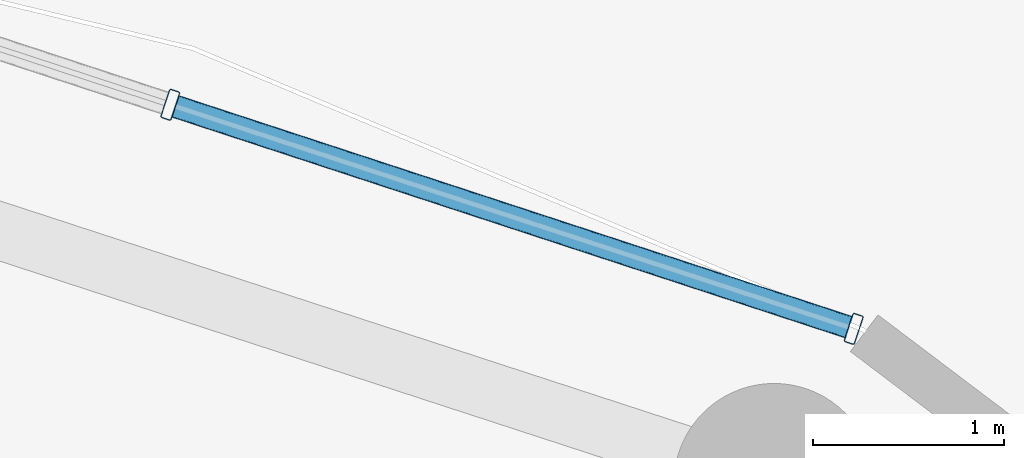
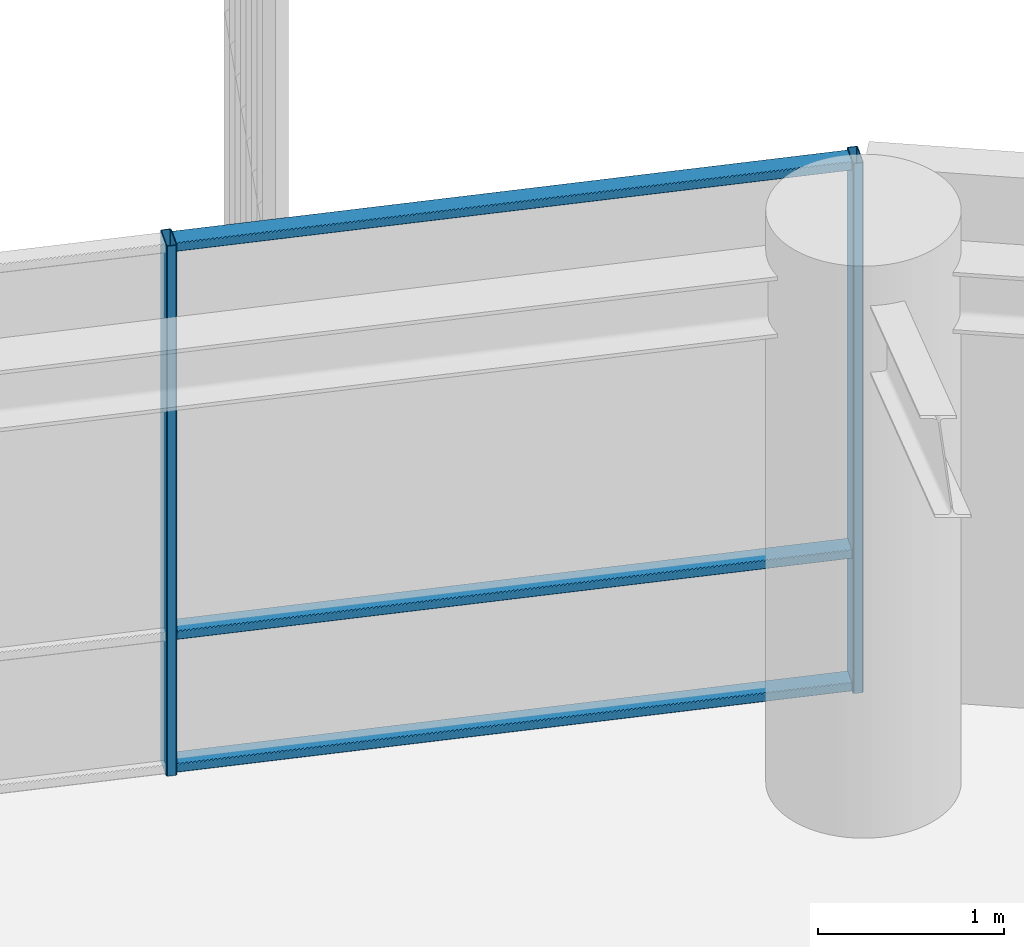
# One storey, part 23 of 31: 5 members, 1 element without a shape of its own.
"""IFC4 building model written with IfcOpenShell, lengths in metres."""

from ifc_helpers import new_model, si_unit, direction, frame, origin, origin_2d, place, context, subcontext, project, spatial, hollow_rectangle, extrude, material, layer, layer_set, material_profile, profile_set, type_object, element, aggregate, save


model = new_model("IFC4")

# Units and contexts
model_context = context("Model", 3, precision=1e-05, world=origin(), true_north=direction((0.0, 1.0)))
body_context = subcontext(model_context, "Body", "Model", "MODEL_VIEW")
ifc_project = project(units=[si_unit("LENGTHUNIT", "METRE"), si_unit("AREAUNIT", "SQUARE_METRE"), si_unit("VOLUMEUNIT", "CUBIC_METRE"), si_unit("PLANEANGLEUNIT", "RADIAN"), si_unit("MASSUNIT", "GRAM", prefix="KILO")], contexts=[model_context])

# Site, building, storey
site_placement = place(None, origin())
site = spatial("IfcSite", under=ifc_project, at=site_placement, CompositionType="ELEMENT")
building_placement = place(site_placement, origin())
building = spatial("IfcBuilding", under=site, at=building_placement, Name="Kelanora Arch Commons", CompositionType="ELEMENT")
storey_placement = place(building_placement, frame((0.0, 0.0, 193.199951171875)))
storey = spatial("IfcBuildingStorey", under=building, at=storey_placement, Name="L49", CompositionType="ELEMENT", Elevation=193.199951171875)

# Curtain wall, members
ifc_material_1 = material(Name="Terracotta ceramic-fritted low-E glass and aluminium", Category="masonry")
ifc_layer = layer(ifc_material_1, 0.175048828125)
ifc_layer_set = layer_set([ifc_layer], Name="Terracotta ceramic-fritted low-E glass and aluminium")
curtain_wall_type = type_object("IfcCurtainWallType", Name="CW-SYS-02", PredefinedType="NOTDEFINED", material=ifc_layer_set)
curtain_wall_placement = place(storey_placement, origin())
curtain_wall = element("IfcCurtainWall", 1, at=curtain_wall_placement, inside=storey, type_object=curtain_wall_type, Name="Unitised Curtain Wall L49-B03", PredefinedType="NOTDEFINED")
ifc_material_2 = material(Name="Powder-coated aluminium terracotta", Category="masonry")
ifc_material_profile_1 = material_profile(ifc_material_2, hollow_rectangle(XDim=0.159912109375, YDim=0.06005859375, WallThickness=0.0048828125, InnerFilletRadius=0.0048828125, OuterFilletRadius=0.010009765625, at=origin_2d()), Name="CWM160x60")
ifc_profile_set_1 = profile_set([ifc_material_profile_1], Name="Powder-coated aluminium terracotta")
member_type_1 = type_object("IfcMemberType", Name="CWM-STD", PredefinedType="MULLION", material=ifc_profile_set_1)
member_1_placement = place(storey_placement, frame((85.05712890625, 75.33447265625, 0.0), z_axis=(0.0, 0.0, 1.0), x_axis=(-0.311582439059, -0.950219124029, 0.0)))
member_1 = element("IfcMember", 2, at=member_1_placement, type_object=member_type_1, Name="CW-02 mullion 1", PredefinedType="MULLION", context=body_context, shape_type="SweptSolid", body=[
    extrude(hollow_rectangle(XDim=0.159912109375, YDim=0.06005859375, WallThickness=0.0048828125, InnerFilletRadius=0.0048828125, OuterFilletRadius=0.010009765625, at=origin_2d()), origin(), (0.0, 0.0, 1.0), 3.47509765625),
])
member_2_placement = place(storey_placement, frame((81.4775390625, 76.50830078125, 0.0), z_axis=(0.0, 0.0, 1.0), x_axis=(-0.311582439059, -0.950219124029, 0.0)))
member_2 = element("IfcMember", 3, at=member_2_placement, type_object=member_type_1, Name="CW-02 mullion 2", PredefinedType="MULLION", context=body_context, shape_type="SweptSolid", body=[
    extrude(hollow_rectangle(XDim=0.159912109375, YDim=0.06005859375, WallThickness=0.0048828125, InnerFilletRadius=0.0048828125, OuterFilletRadius=0.010009765625, at=origin_2d()), origin(), (0.0, 0.0, 1.0), 3.47509765625),
])
ifc_material_profile_2 = material_profile(ifc_material_2, hollow_rectangle(XDim=0.1201171875, YDim=0.06005859375, WallThickness=0.0048828125, InnerFilletRadius=0.0048828125, OuterFilletRadius=0.010009765625, at=origin_2d()), Name="CWT120x60")
ifc_profile_set_2 = profile_set([ifc_material_profile_2], Name="Powder-coated aluminium terracotta")
member_type_2 = type_object("IfcMemberType", Name="CWT-STD", PredefinedType="USERDEFINED", material=ifc_profile_set_2)
member_3_placement = place(storey_placement, frame((85.02880859375, 75.343994140625, 0.030029296875), z_axis=(-0.950226025222, 0.311561392011, 0.0), x_axis=(-0.311561392011, -0.950226025222, 0.0)))
member_3 = element("IfcMember", 4, at=member_3_placement, type_object=member_type_2, Name="CW-02 transom 1.1", ObjectType="TRANSOM", PredefinedType="USERDEFINED", context=body_context, shape_type="SweptSolid", body=[
    extrude(hollow_rectangle(XDim=0.1201171875, YDim=0.06005859375, WallThickness=0.0048828125, InnerFilletRadius=0.0048828125, OuterFilletRadius=0.010009765625, at=origin_2d()), origin(), (0.0, 0.0, 1.0), 3.707275390625),
])
member_4_placement = place(storey_placement, frame((85.02880859375, 75.343994140625, 0.900146484375), z_axis=(-0.950226025222, 0.311561392011, 0.0), x_axis=(-0.311561392011, -0.950226025222, 0.0)))
member_4 = element("IfcMember", 5, at=member_4_placement, type_object=member_type_2, Name="CW-02 transom 1.2", ObjectType="TRANSOM", PredefinedType="USERDEFINED", context=body_context, shape_type="SweptSolid", body=[
    extrude(hollow_rectangle(XDim=0.1201171875, YDim=0.06005859375, WallThickness=0.0048828125, InnerFilletRadius=0.0048828125, OuterFilletRadius=0.010009765625, at=origin_2d()), origin(), (0.0, 0.0, 1.0), 3.707275390625),
])
member_5_placement = place(storey_placement, frame((85.02880859375, 75.343994140625, 3.445068359375), z_axis=(-0.950226025222, 0.311561392011, 0.0), x_axis=(-0.311561392011, -0.950226025222, 0.0)))
member_5 = element("IfcMember", 6, at=member_5_placement, type_object=member_type_2, Name="CW-02 transom 1.3", ObjectType="TRANSOM", PredefinedType="USERDEFINED", context=body_context, shape_type="SweptSolid", body=[
    extrude(hollow_rectangle(XDim=0.1201171875, YDim=0.06005859375, WallThickness=0.0048828125, InnerFilletRadius=0.0048828125, OuterFilletRadius=0.010009765625, at=origin_2d()), origin(), (0.0, 0.0, 1.0), 3.707275390625),
])
aggregate(curtain_wall, [member_1, member_2, member_3, member_4, member_5])

save(model, "model.ifc")
